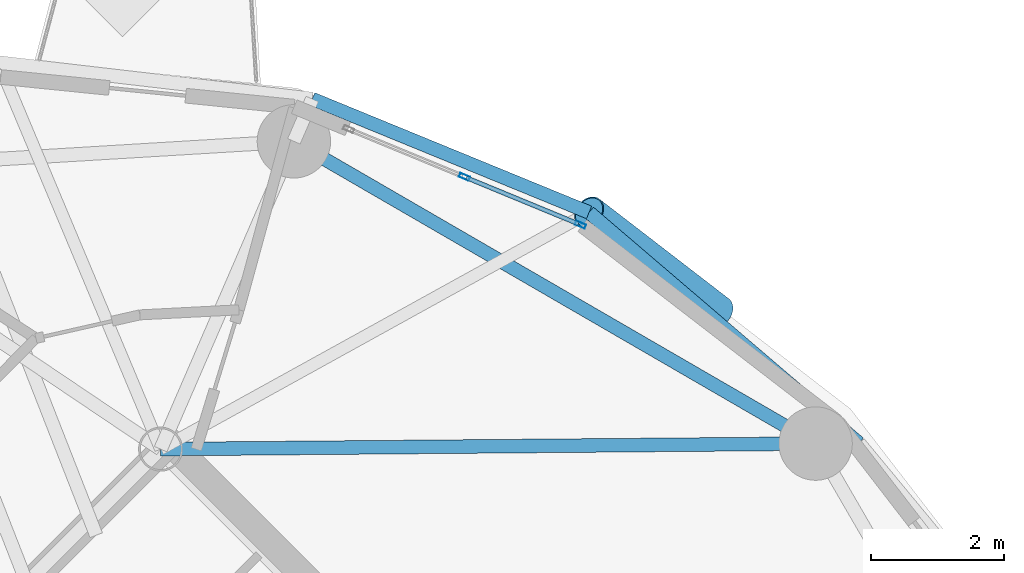
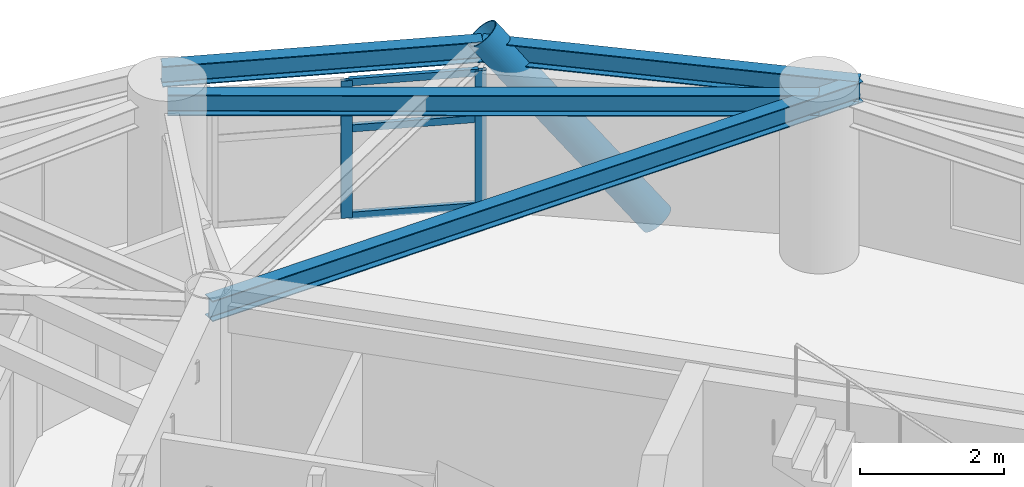
# One storey, part 6 of 17: 6 members, 4 beams, 1 element without a shape of its own.
"""IFC4 building model written with IfcOpenShell, lengths in metres."""

from ifc_helpers import new_model, si_unit, direction, frame, origin, origin_2d, place, context, subcontext, project, spatial, hollow_rectangle, hollow_circle, i_section, extrude, material, layer, layer_set, material_profile, profile_set, type_object, element, aggregate, save


model = new_model("IFC4")

# Units and contexts
model_context = context("Model", 3, precision=1e-05, world=origin(), true_north=direction((0.0, 1.0)))
body_context = subcontext(model_context, "Body", "Model", "MODEL_VIEW")
ifc_project = project(units=[si_unit("LENGTHUNIT", "METRE"), si_unit("AREAUNIT", "SQUARE_METRE"), si_unit("VOLUMEUNIT", "CUBIC_METRE"), si_unit("PLANEANGLEUNIT", "RADIAN"), si_unit("MASSUNIT", "GRAM", prefix="KILO")], contexts=[model_context])

# Site, building, storey
site_placement = place(None, origin())
site = spatial("IfcSite", under=ifc_project, at=site_placement, CompositionType="ELEMENT")
building_placement = place(site_placement, origin())
building = spatial("IfcBuilding", under=site, at=building_placement, Name="Cununo Teusaquillo Station Towers", CompositionType="ELEMENT")
storey_placement = place(building_placement, frame((0.0, 0.0, 205.389892578125)))
storey = spatial("IfcBuildingStorey", under=building, at=storey_placement, Name="L65", CompositionType="ELEMENT", Elevation=205.389892578125)

# Beams
ifc_material_1 = material(Name="Steel ASTM A572 Grade 50", Category="steel")
ifc_material_profile_1 = material_profile(ifc_material_1, i_section(OverallWidth=0.2041015625, OverallDepth=0.35009765625, WebThickness=0.008544921875, FlangeThickness=0.01513671875, FilletRadius=0.011962890625, at=origin_2d()), Name="W14X48")
ifc_profile_set_1 = profile_set([ifc_material_profile_1], Name="Steel ASTM A572 Grade 50")
beam_type_1 = type_object("IfcBeamType", Name="BM-RAD-G3", PredefinedType="BEAM", material=ifc_profile_set_1)
beam_1_placement = place(storey_placement, frame((56.29443359375, 33.024169921875, 2.525146484375), z_axis=(0.999964325253, 0.008446787673, 0.0), x_axis=(-0.008446787673, 0.999964325253, 0.0)))
element("IfcBeam", 1, at=beam_1_placement, inside=storey, type_object=beam_type_1, Name="L65 Tower B Continuous Overhanging Radial Girder 01", PredefinedType="BEAM", context=body_context, shape_type="SweptSolid", body=[
    extrude(i_section(OverallWidth=0.2041015625, OverallDepth=0.35009765625, WebThickness=0.008544921875, FlangeThickness=0.01513671875, FilletRadius=0.011962890625, at=origin_2d()), origin(), (0.0, 0.0, 1.0), 10.463134765625),
])
ifc_material_2 = material(Name="Steel ASTM A572 Grade 50", Category="steel")
ifc_material_profile_2 = material_profile(ifc_material_2, i_section(OverallWidth=0.2041015625, OverallDepth=0.35009765625, WebThickness=0.008544921875, FlangeThickness=0.01513671875, FilletRadius=0.011962890625, at=origin_2d()), Name="W14X48")
ifc_profile_set_2 = profile_set([ifc_material_profile_2], Name="Steel ASTM A572 Grade 50")
beam_type_2 = type_object("IfcBeamType", Name="BM-RING-Z4", PredefinedType="SPANDREL", material=ifc_profile_set_2)
beam_2_placement = place(storey_placement, frame((66.10693359375, 33.10693359375, 2.525146484375), z_axis=(-0.865267103202, 0.501311121078, 0.0), x_axis=(-0.501311121078, -0.865267103202, 0.0)))
element("IfcBeam", 2, at=beam_2_placement, inside=storey, type_object=beam_type_2, Name="L65 Tower B Structural Column Ring Girder 01", PredefinedType="SPANDREL", context=body_context, shape_type="SweptSolid", body=[
    extrude(i_section(OverallWidth=0.2041015625, OverallDepth=0.35009765625, WebThickness=0.008544921875, FlangeThickness=0.01513671875, FilletRadius=0.011962890625, at=origin_2d()), origin(), (0.0, 0.0, 1.0), 9.032958984375),
])
beam_3_placement = place(storey_placement, frame((66.757080078125, 33.112548828125, 2.525146484375), z_axis=(-0.760065778291, 0.649846145385, 0.0), x_axis=(-0.649846145385, -0.760065778291, 0.0)))
element("IfcBeam", 3, at=beam_3_placement, inside=storey, type_object=beam_type_2, Name="L65 Tower B Spandrel Ring Beam 01", PredefinedType="SPANDREL", context=body_context, shape_type="SweptSolid", body=[
    extrude(i_section(OverallWidth=0.2041015625, OverallDepth=0.35009765625, WebThickness=0.008544921875, FlangeThickness=0.01513671875, FilletRadius=0.011962890625, at=origin_2d()), origin(), (0.0, 0.0, 1.0), 5.320556640625),
])
beam_4_placement = place(storey_placement, frame((62.713134765625, 36.570068359375, 2.525146484375), z_axis=(-0.925283830437, 0.379275405388, 0.0), x_axis=(-0.379275405388, -0.925283830437, 0.0)))
element("IfcBeam", 4, at=beam_4_placement, inside=storey, type_object=beam_type_2, Name="L65 Tower B Spandrel Ring Beam 02", PredefinedType="SPANDREL", context=body_context, shape_type="SweptSolid", body=[
    extrude(i_section(OverallWidth=0.2041015625, OverallDepth=0.35009765625, WebThickness=0.008544921875, FlangeThickness=0.01513671875, FilletRadius=0.011962890625, at=origin_2d()), origin(), (0.0, 0.0, 1.0), 4.482177734375),
])

# Curtain wall, members
ifc_material_3 = material(Name="Ceramic-fritted dark low-E double glazing", Category="glass")
ifc_layer = layer(ifc_material_3, 0.179931640625)
ifc_layer_set = layer_set([ifc_layer], Name="Ceramic-fritted dark low-E double glazing")
curtain_wall_type = type_object("IfcCurtainWallType", Name="CW-SYS-07", PredefinedType="USERDEFINED", material=ifc_layer_set)
curtain_wall_placement = place(storey_placement, origin())
curtain_wall = element("IfcCurtainWall", 5, at=curtain_wall_placement, inside=storey, type_object=curtain_wall_type, Name="L65 Tower B Facade Curtain Wall C01", ObjectType="FRITTED GLAZING", PredefinedType="USERDEFINED")
ifc_material_4 = material(Name="Anodised dark bronze aluminium EN AW-6063-T6", Category="aluminium")
ifc_material_profile_3 = material_profile(ifc_material_4, hollow_rectangle(XDim=0.06494140625, YDim=0.159912109375, WallThickness=0.00390625, at=origin_2d()), Name="CW-MULL-65x160")
ifc_profile_set_3 = profile_set([ifc_material_profile_3], Name="Anodised dark bronze aluminium EN AW-6063-T6")
member_type_1 = type_object("IfcMemberType", Name="CWM-160", PredefinedType="MULLION", material=ifc_profile_set_3)
member_1_placement = place(storey_placement, frame((60.84716796875, 37.102294921875, 0.0), z_axis=(0.0, 0.0, 1.0), x_axis=(0.381310513086, 0.924447019904, 0.0)))
member_1 = element("IfcMember", 6, at=member_1_placement, type_object=member_type_1, Name="CW-07 mullion 2", PredefinedType="MULLION", context=body_context, shape_type="SweptSolid", body=[
    extrude(hollow_rectangle(XDim=0.06494140625, YDim=0.159912109375, WallThickness=0.00390625, at=origin_2d()), origin(), (0.0, 0.0, 1.0), 2.322021484375),
])
member_2_placement = place(storey_placement, frame((62.583251953125, 36.38623046875, 0.0), z_axis=(0.0, 0.0, 1.0), x_axis=(0.381310513086, 0.924447019904, 0.0)))
member_2 = element("IfcMember", 7, at=member_2_placement, type_object=member_type_1, Name="CW-07 mullion 3", PredefinedType="MULLION", context=body_context, shape_type="SweptSolid", body=[
    extrude(hollow_rectangle(XDim=0.06494140625, YDim=0.159912109375, WallThickness=0.00390625, at=origin_2d()), origin(), (0.0, 0.0, 1.0), 2.322021484375),
])
ifc_material_5 = material(Name="Anodised dark bronze aluminium EN AW-6063-T6", Category="aluminium")
ifc_material_profile_4 = material_profile(ifc_material_5, hollow_rectangle(XDim=0.06494140625, YDim=0.1201171875, WallThickness=0.00390625, at=origin_2d()), Name="CW-TRAN-65x120")
ifc_profile_set_4 = profile_set([ifc_material_profile_4], Name="Anodised dark bronze aluminium EN AW-6063-T6")
member_type_2 = type_object("IfcMemberType", Name="CWT-120", PredefinedType="USERDEFINED", material=ifc_profile_set_4)
member_3_placement = place(storey_placement, frame((60.877197265625, 37.08984375, 0.03271484375), z_axis=(0.92447716721, -0.381237415932, 0.0), x_axis=(0.381237415932, 0.92447716721, 0.0)))
member_3 = element("IfcMember", 8, at=member_3_placement, type_object=member_type_2, Name="CW-07 transom 2.1", ObjectType="TRANSOM", PredefinedType="USERDEFINED", context=body_context, shape_type="SweptSolid", body=[
    extrude(hollow_rectangle(XDim=0.06494140625, YDim=0.1201171875, WallThickness=0.00390625, at=origin_2d()), origin(), (0.0, 0.0, 1.0), 1.81298828125),
])
member_4_placement = place(storey_placement, frame((60.877197265625, 37.08984375, 1.509033203125), z_axis=(0.92447716721, -0.381237415932, 0.0), x_axis=(0.381237415932, 0.92447716721, 0.0)))
member_4 = element("IfcMember", 9, at=member_4_placement, type_object=member_type_2, Name="CW-07 transom 2.2", ObjectType="TRANSOM", PredefinedType="USERDEFINED", context=body_context, shape_type="SweptSolid", body=[
    extrude(hollow_rectangle(XDim=0.06494140625, YDim=0.1201171875, WallThickness=0.00390625, at=origin_2d()), origin(), (0.0, 0.0, 1.0), 1.81298828125),
])
member_5_placement = place(storey_placement, frame((60.877197265625, 37.08984375, 2.28955078125), z_axis=(0.92447716721, -0.381237415932, 0.0), x_axis=(0.381237415932, 0.92447716721, 0.0)))
member_5 = element("IfcMember", 10, at=member_5_placement, type_object=member_type_2, Name="CW-07 transom 2.3", ObjectType="TRANSOM", PredefinedType="USERDEFINED", context=body_context, shape_type="SweptSolid", body=[
    extrude(hollow_rectangle(XDim=0.06494140625, YDim=0.1201171875, WallThickness=0.00390625, at=origin_2d()), origin(), (0.0, 0.0, 1.0), 1.81298828125),
])
aggregate(curtain_wall, [member_1, member_2, member_3, member_4, member_5])

# Member
ifc_material_6 = material(Name="Steel EN 10025-2 S355J2", Category="steel")
ifc_material_profile_5 = material_profile(ifc_material_6, hollow_circle(Radius=0.25390625, WallThickness=0.01806640625, at=origin_2d()), Name="CHS 508x18")
ifc_profile_set_5 = profile_set([ifc_material_profile_5], Name="Steel EN 10025-2 S355J2")
member_type_3 = type_object("IfcMemberType", Name="MBR-DIAG-Z4", PredefinedType="BRACE", material=ifc_profile_set_5)
member_6_placement = place(storey_placement, frame((64.649658203125, 35.078125, -0.139892578125), z_axis=(-0.509547803244, 0.392567653256, 0.765670734602), x_axis=(-0.610304239587, -0.792167113141, 0.0)))
element("IfcMember", 11, at=member_6_placement, inside=storey, type_object=member_type_3, Name="L65 Tower B Folded-Zigzag Diagrid Tube C00", PredefinedType="BRACE", context=body_context, shape_type="SweptSolid", body=[
    extrude(hollow_circle(Radius=0.25390625, WallThickness=0.01806640625, at=origin_2d()), origin(), (0.0, 0.0, 1.0), 3.800537109375),
])

save(model, "model.ifc")
